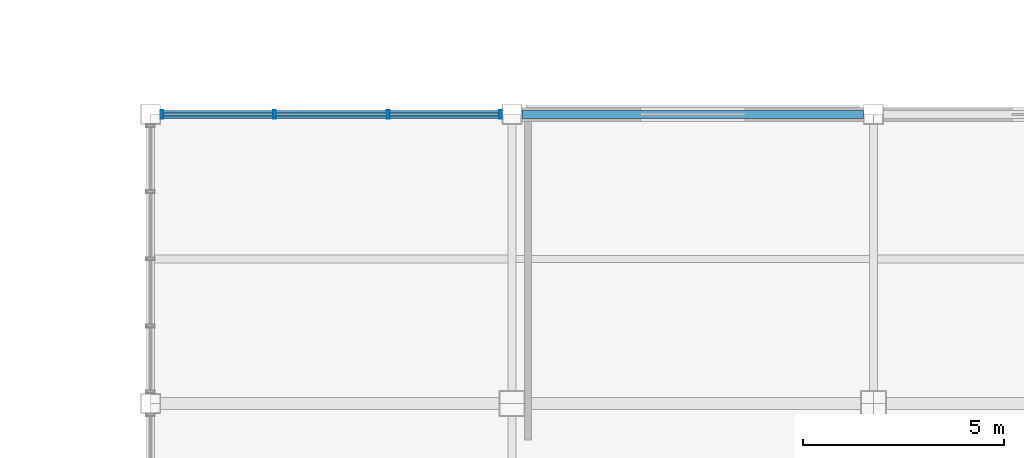
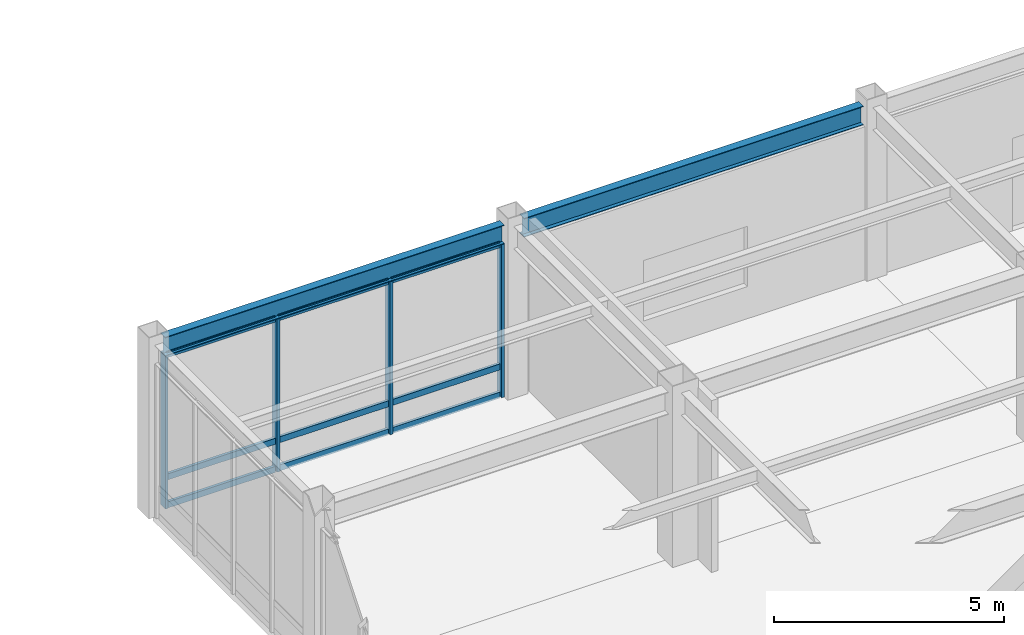
# One storey, part 57 of 112: 13 members, 2 beams, 1 element without a shape of its own.
"""IFC4 building model written with IfcOpenShell, lengths in metres."""

from ifc_helpers import new_model, si_unit, direction, frame, origin, origin_2d, place, context, subcontext, project, spatial, hollow_rectangle, i_section, extrude, material, material_profile, profile_set, type_object, element, aggregate, save


model = new_model("IFC4")

# Units and contexts
model_context = context("Model", 3, precision=1e-05, world=origin(), true_north=direction((0.0, 1.0)))
body_context = subcontext(model_context, "Body", "Model", "MODEL_VIEW")
ifc_project = project(units=[si_unit("LENGTHUNIT", "METRE"), si_unit("AREAUNIT", "SQUARE_METRE"), si_unit("VOLUMEUNIT", "CUBIC_METRE"), si_unit("PLANEANGLEUNIT", "RADIAN"), si_unit("MASSUNIT", "GRAM", prefix="KILO")], contexts=[model_context])

# Site, building, storey
site_placement = place(None, origin())
site = spatial("IfcSite", under=ifc_project, at=site_placement, CompositionType="ELEMENT")
building_placement = place(site_placement, origin())
building = spatial("IfcBuilding", under=site, at=building_placement, Name="Kazanami Central Library", CompositionType="ELEMENT")
storey_placement = place(building_placement, origin())
storey = spatial("IfcBuildingStorey", under=building, at=storey_placement, Name="L01", CompositionType="ELEMENT", Elevation=0.0)

# Beams
ifc_material_1 = material(Name="Steel SN490B (325 MPa)", Category="steel")
ifc_material_profile_1 = material_profile(ifc_material_1, i_section(OverallWidth=0.199951171875, OverallDepth=0.5, WebThickness=0.010009765625, FlangeThickness=0.01611328125, at=origin_2d()), Name="H-500x200x10x16")
ifc_profile_set_1 = profile_set([ifc_material_profile_1], Name="Steel SN490B (325 MPa)")
beam_type = type_object("IfcBeamType", Name="BM-SP-1", PredefinedType="SPANDREL", material=ifc_profile_set_1)
for number, where, z_axis, x_axis, name in (
    (1, (45.248046875, 93.60009765625, 4.304931640625), (1.0, 0.0, 0.0), (0.0, 1.0, 0.0), "Girder SP-1 L01 O/6-7"),
    (2, (54.248046875, 93.60009765625, 4.304931640625), (1.0, 0.0, 0.0), (0.0, 1.0, 0.0), "Girder SP-1 L01 O/7-8"),
):
    element("IfcBeam", number, at=place(storey_placement, frame(where, z_axis=z_axis, x_axis=x_axis)), inside=storey, type_object=beam_type, Name=name, PredefinedType="SPANDREL", context=body_context, shape_type="SweptSolid", body=[
        extrude(i_section(OverallWidth=0.199951171875, OverallDepth=0.5, WebThickness=0.010009765625, FlangeThickness=0.01611328125, at=origin_2d()), origin(), (0.0, 0.0, 1.0), 8.50390625),
    ])

# Curtain wall, members
ifc_material_2 = material(Name="Acid-Etched Low-E Laminated Glass", Category="glass")
curtain_wall_type = type_object("IfcCurtainWallType", Name="CW-8500x4055-M275", PredefinedType="USERDEFINED", material=ifc_material_2)
curtain_wall_placement = place(storey_placement, origin())
curtain_wall = element("IfcCurtainWall", 3, at=curtain_wall_placement, inside=storey, type_object=curtain_wall_type, Name="Unitised Curtain Wall CW-07 L01 N-O-05", ObjectType="UNITISED CURTAIN WALL", PredefinedType="USERDEFINED")
ifc_material_3 = material(Name="Anodised Aluminium A6063-T5", Category="aluminium")
ifc_material_profile_2 = material_profile(ifc_material_3, hollow_rectangle(XDim=0.070068359375, YDim=0.2099609375, WallThickness=0.0048828125, at=origin_2d()), Name="ALU-MULL-70x210x5")
ifc_profile_set_2 = profile_set([ifc_material_profile_2], Name="Anodised Aluminium A6063-T5")
member_type_1 = type_object("IfcMemberType", Name="MEM-CW-M1", PredefinedType="MULLION", material=ifc_profile_set_2)
member_1_placement = place(storey_placement, frame((53.715087890625, 93.60009765625, 0.0), z_axis=(0.0, 0.0, 1.0), x_axis=(-1.0, 0.0, 0.0)))
member_1 = element("IfcMember", 4, at=member_1_placement, type_object=member_type_1, Name="CW-07 mullion 1", PredefinedType="MULLION", context=body_context, shape_type="SweptSolid", body=[
    extrude(hollow_rectangle(XDim=0.070068359375, YDim=0.2099609375, WallThickness=0.0048828125, at=origin_2d()), origin(), (0.0, 0.0, 1.0), 4.054931640625),
])
member_2_placement = place(storey_placement, frame((50.916748046875, 93.60009765625, 0.0), z_axis=(0.0, 0.0, 1.0), x_axis=(-1.0, 0.0, 0.0)))
member_2 = element("IfcMember", 5, at=member_2_placement, type_object=member_type_1, Name="CW-07 mullion 2", PredefinedType="MULLION", context=body_context, shape_type="SweptSolid", body=[
    extrude(hollow_rectangle(XDim=0.070068359375, YDim=0.2099609375, WallThickness=0.0048828125, at=origin_2d()), origin(), (0.0, 0.0, 1.0), 4.054931640625),
])
member_3_placement = place(storey_placement, frame((48.083251953125, 93.60009765625, 0.0), z_axis=(0.0, 0.0, 1.0), x_axis=(-1.0, 0.0, 0.0)))
member_3 = element("IfcMember", 6, at=member_3_placement, type_object=member_type_1, Name="CW-07 mullion 3", PredefinedType="MULLION", context=body_context, shape_type="SweptSolid", body=[
    extrude(hollow_rectangle(XDim=0.070068359375, YDim=0.2099609375, WallThickness=0.0048828125, at=origin_2d()), origin(), (0.0, 0.0, 1.0), 4.054931640625),
])
member_4_placement = place(storey_placement, frame((45.284912109375, 93.60009765625, 0.0), z_axis=(0.0, 0.0, 1.0), x_axis=(-1.0, 0.0, 0.0)))
member_4 = element("IfcMember", 7, at=member_4_placement, type_object=member_type_1, Name="CW-07 mullion 4", PredefinedType="MULLION", context=body_context, shape_type="SweptSolid", body=[
    extrude(hollow_rectangle(XDim=0.070068359375, YDim=0.2099609375, WallThickness=0.0048828125, at=origin_2d()), origin(), (0.0, 0.0, 1.0), 4.054931640625),
])
ifc_material_profile_3 = material_profile(ifc_material_3, hollow_rectangle(XDim=0.070068359375, YDim=0.159912109375, WallThickness=0.00390625, at=origin_2d()), Name="ALU-TRAN-70x160x4")
ifc_profile_set_3 = profile_set([ifc_material_profile_3], Name="Anodised Aluminium A6063-T5")
member_type_2 = type_object("IfcMemberType", Name="MEM-CW-T1", PredefinedType="USERDEFINED", material=ifc_profile_set_3)
member_5_placement = place(storey_placement, frame((53.679931640625, 93.60009765625, 0.034912109375), z_axis=(-1.0, 0.0, 0.0), x_axis=(0.0, -1.0, 0.0)))
member_5 = element("IfcMember", 8, at=member_5_placement, type_object=member_type_2, Name="CW-07 transom 1.1", ObjectType="TRANSOM", PredefinedType="USERDEFINED", context=body_context, shape_type="SweptSolid", body=[
    extrude(hollow_rectangle(XDim=0.070068359375, YDim=0.159912109375, WallThickness=0.00390625, at=origin_2d()), origin(), (0.0, 0.0, 1.0), 2.728271484375),
])
member_6_placement = place(storey_placement, frame((53.679931640625, 93.60009765625, 0.780029296875), z_axis=(-1.0, 0.0, 0.0), x_axis=(0.0, -1.0, 0.0)))
member_6 = element("IfcMember", 9, at=member_6_placement, type_object=member_type_2, Name="CW-07 transom 1.2", ObjectType="TRANSOM", PredefinedType="USERDEFINED", context=body_context, shape_type="SweptSolid", body=[
    extrude(hollow_rectangle(XDim=0.070068359375, YDim=0.159912109375, WallThickness=0.00390625, at=origin_2d()), origin(), (0.0, 0.0, 1.0), 2.728271484375),
])
member_7_placement = place(storey_placement, frame((53.679931640625, 93.60009765625, 4.02001953125), z_axis=(-1.0, 0.0, 0.0), x_axis=(0.0, -1.0, 0.0)))
member_7 = element("IfcMember", 10, at=member_7_placement, type_object=member_type_2, Name="CW-07 transom 1.3", ObjectType="TRANSOM", PredefinedType="USERDEFINED", context=body_context, shape_type="SweptSolid", body=[
    extrude(hollow_rectangle(XDim=0.070068359375, YDim=0.159912109375, WallThickness=0.00390625, at=origin_2d()), origin(), (0.0, 0.0, 1.0), 2.728271484375),
])
member_8_placement = place(storey_placement, frame((50.881591796875, 93.60009765625, 0.034912109375), z_axis=(-1.0, 0.0, 0.0), x_axis=(0.0, -1.0, 0.0)))
member_8 = element("IfcMember", 11, at=member_8_placement, type_object=member_type_2, Name="CW-07 transom 2.1", ObjectType="TRANSOM", PredefinedType="USERDEFINED", context=body_context, shape_type="SweptSolid", body=[
    extrude(hollow_rectangle(XDim=0.070068359375, YDim=0.159912109375, WallThickness=0.00390625, at=origin_2d()), origin(), (0.0, 0.0, 1.0), 2.76318359375),
])
member_9_placement = place(storey_placement, frame((50.881591796875, 93.60009765625, 0.780029296875), z_axis=(-1.0, 0.0, 0.0), x_axis=(0.0, -1.0, 0.0)))
member_9 = element("IfcMember", 12, at=member_9_placement, type_object=member_type_2, Name="CW-07 transom 2.2", ObjectType="TRANSOM", PredefinedType="USERDEFINED", context=body_context, shape_type="SweptSolid", body=[
    extrude(hollow_rectangle(XDim=0.070068359375, YDim=0.159912109375, WallThickness=0.00390625, at=origin_2d()), origin(), (0.0, 0.0, 1.0), 2.76318359375),
])
member_10_placement = place(storey_placement, frame((50.881591796875, 93.60009765625, 4.02001953125), z_axis=(-1.0, 0.0, 0.0), x_axis=(0.0, -1.0, 0.0)))
member_10 = element("IfcMember", 13, at=member_10_placement, type_object=member_type_2, Name="CW-07 transom 2.3", ObjectType="TRANSOM", PredefinedType="USERDEFINED", context=body_context, shape_type="SweptSolid", body=[
    extrude(hollow_rectangle(XDim=0.070068359375, YDim=0.159912109375, WallThickness=0.00390625, at=origin_2d()), origin(), (0.0, 0.0, 1.0), 2.76318359375),
])
member_11_placement = place(storey_placement, frame((48.04833984375, 93.60009765625, 0.034912109375), z_axis=(-1.0, 0.0, 0.0), x_axis=(0.0, -1.0, 0.0)))
member_11 = element("IfcMember", 14, at=member_11_placement, type_object=member_type_2, Name="CW-07 transom 3.1", ObjectType="TRANSOM", PredefinedType="USERDEFINED", context=body_context, shape_type="SweptSolid", body=[
    extrude(hollow_rectangle(XDim=0.070068359375, YDim=0.159912109375, WallThickness=0.00390625, at=origin_2d()), origin(), (0.0, 0.0, 1.0), 2.728271484375),
])
member_12_placement = place(storey_placement, frame((48.04833984375, 93.60009765625, 0.780029296875), z_axis=(-1.0, 0.0, 0.0), x_axis=(0.0, -1.0, 0.0)))
member_12 = element("IfcMember", 15, at=member_12_placement, type_object=member_type_2, Name="CW-07 transom 3.2", ObjectType="TRANSOM", PredefinedType="USERDEFINED", context=body_context, shape_type="SweptSolid", body=[
    extrude(hollow_rectangle(XDim=0.070068359375, YDim=0.159912109375, WallThickness=0.00390625, at=origin_2d()), origin(), (0.0, 0.0, 1.0), 2.728271484375),
])
member_13_placement = place(storey_placement, frame((48.04833984375, 93.60009765625, 4.02001953125), z_axis=(-1.0, 0.0, 0.0), x_axis=(0.0, -1.0, 0.0)))
member_13 = element("IfcMember", 16, at=member_13_placement, type_object=member_type_2, Name="CW-07 transom 3.3", ObjectType="TRANSOM", PredefinedType="USERDEFINED", context=body_context, shape_type="SweptSolid", body=[
    extrude(hollow_rectangle(XDim=0.070068359375, YDim=0.159912109375, WallThickness=0.00390625, at=origin_2d()), origin(), (0.0, 0.0, 1.0), 2.728271484375),
])
aggregate(curtain_wall, [member_1, member_2, member_3, member_4, member_5, member_6, member_7, member_8, member_9, member_10, member_11, member_12, member_13])

save(model, "model.ifc")
